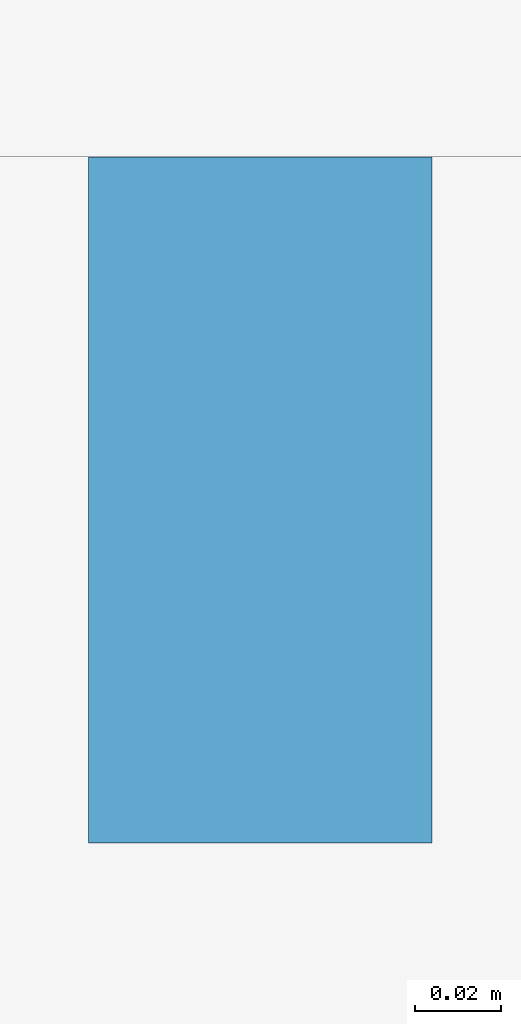
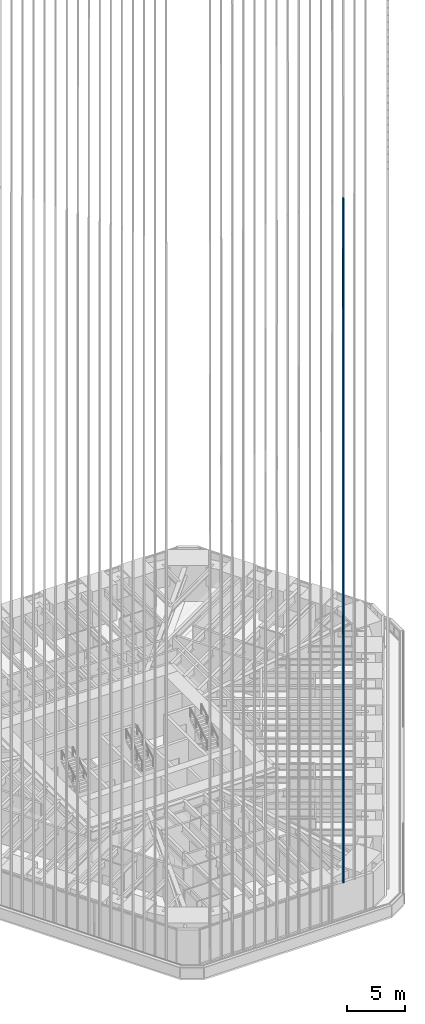
# One storey, part 64 of 238: 1 member, 1 element without a shape of its own.
"""IFC4 building model written with IfcOpenShell, lengths in metres."""

import ifcopenshell
import ifcopenshell.guid

model = None  # the IFC model being written
_history = None  # IfcOwnerHistory: only IFC2X3 demands one
_inside = {}  # id of a spatial element -> (the spatial element, [elements in it])
_under = {}  # id of a project, library or spatial element -> (it, [spatial elements below it])
_declared = {}  # id of a project -> (the project, [libraries it declares])
_typed = {}  # id of a type object -> (the type object, [elements of that type])
_made_of = {}  # id of a material, layer set ... -> (it, [elements and type objects made of it])


def new_model(schema):
    """Start an empty IFC model of exactly this schema.

    Asked for "IFC4X3", IfcOpenShell would pick the latest addendum, in which some entities
    have other attributes; the version numbers below select the first issue.
    IFC2X3 requires an IfcOwnerHistory on every rooted entity: one is made here for all.
    """
    global model, _history
    if schema == "IFC4X3":
        model = ifcopenshell.file(schema_version=(4, 3, 0, 0))
    else:
        model = ifcopenshell.file(schema=schema)
    _inside.clear()
    _under.clear()
    _declared.clear()
    _typed.clear()
    _made_of.clear()
    _history = None
    if model.schema == "IFC2X3":
        org = make("IfcOrganization", Name="unknown")
        user = make(
            "IfcPersonAndOrganization",
            ThePerson=make("IfcPerson", FamilyName="unknown"),
            TheOrganization=org,
        )
        app = make(
            "IfcApplication",
            ApplicationDeveloper=org,
            Version="unknown",
            ApplicationFullName="unknown",
            ApplicationIdentifier="unknown",
        )
        _history = make(
            "IfcOwnerHistory",
            OwningUser=user,
            OwningApplication=app,
            ChangeAction="ADDED",
            CreationDate=0,
        )
    return model


def make(cls, **values):
    """One entity of the class cls with the attributes given. An attribute that is None is left unset."""
    return model.create_entity(
        cls, **{name: value for name, value in values.items() if value is not None}
    )


def rooted(cls, **values):
    """An entity with a GlobalId (a new one), such as an element, a storey or a relation."""
    return make(cls, GlobalId=ifcopenshell.guid.new(), OwnerHistory=_history, **values)


def si_unit(unit_type, name, prefix=None):
    """IfcSIUnit, for example si_unit("LENGTHUNIT", "METRE", prefix="MILLI")."""
    return make("IfcSIUnit", UnitType=unit_type, Prefix=prefix, Name=name)


def assignment(units):
    """IfcUnitAssignment: the units of a project."""
    return None if units is None else make("IfcUnitAssignment", Units=units)


def point(xyz):
    """IfcCartesianPoint."""
    return None if xyz is None else make("IfcCartesianPoint", Coordinates=xyz)


def direction(xyz):
    """IfcDirection."""
    return None if xyz is None else make("IfcDirection", DirectionRatios=xyz)


def frame(location, z_axis=None, x_axis=None):
    """IfcAxis2Placement3D, a coordinate frame: its origin and axes. An axis left out is left unset."""
    return make(
        "IfcAxis2Placement3D",
        Location=point(location),
        Axis=direction(z_axis),
        RefDirection=direction(x_axis),
    )


def frame_2d(location, x_axis=None):
    """IfcAxis2Placement2D, a coordinate frame in the plane: its origin and x axis."""
    return make(
        "IfcAxis2Placement2D", Location=point(location), RefDirection=direction(x_axis)
    )


def origin():
    """The frame at (0, 0, 0) with its axes left unset."""
    return frame((0.0, 0.0, 0.0))


def origin_2d():
    """The frame at (0, 0) in the plane with its x axis left unset."""
    return frame_2d((0.0, 0.0))


def place(relative_to, where):
    """IfcLocalPlacement: puts the frame where relative to a parent placement (None: the world)."""
    return make(
        "IfcLocalPlacement", PlacementRelTo=relative_to, RelativePlacement=where
    )


def context(
    kind, dimensions, precision=None, world=None, true_north=None, identifier=None
):
    """IfcGeometricRepresentationContext, for example the 3D "Model" context."""
    return make(
        "IfcGeometricRepresentationContext",
        ContextIdentifier=identifier,
        ContextType=kind,
        CoordinateSpaceDimension=dimensions,
        Precision=precision,
        WorldCoordinateSystem=world,
        TrueNorth=true_north,
    )


def subcontext(parent, identifier, kind, view, scale=None):
    """IfcGeometricRepresentationSubContext, for example "Body" below "Model"."""
    return make(
        "IfcGeometricRepresentationSubContext",
        ContextIdentifier=identifier,
        ContextType=kind,
        ParentContext=parent,
        TargetScale=scale,
        TargetView=view,
    )


def project(units=None, contexts=None):
    """IfcProject with its units and contexts."""
    return rooted(
        "IfcProject",
        Name="project",
        RepresentationContexts=contexts,
        UnitsInContext=assignment(units),
    )


def spatial(cls, under=None, at=None, **own):
    """A site, building, storey or space (cls), placed at a placement, below another one or the project."""
    s = rooted(cls, ObjectPlacement=at, **own)
    if under is not None:
        _under.setdefault(under.id(), (under, []))[1].append(s)
    return s


def profile(cls, at=None, kind="AREA", **sizes):
    """A parametric profile (cls). Its sizes go by their IFC names, for example OverallWidth=200.0."""
    return make(cls, ProfileType=kind, Position=at, **sizes)


def rectangle(**sizes):
    """IfcRectangleProfileDef."""
    return profile("IfcRectangleProfileDef", **sizes)


def extrude(swept, where, along, depth):
    """IfcExtrudedAreaSolid: the profile swept, set in the frame where, extruded along a direction by depth."""
    return make(
        "IfcExtrudedAreaSolid",
        SweptArea=swept,
        Position=where,
        ExtrudedDirection=direction(along),
        Depth=depth,
    )


def shape(context_of_items, identifier, shape_type, items):
    """IfcShapeRepresentation: the items that make up one representation, for example the "Body"."""
    return make(
        "IfcShapeRepresentation",
        ContextOfItems=context_of_items,
        RepresentationIdentifier=identifier,
        RepresentationType=shape_type,
        Items=items,
    )


def material(Name=None, Category=None):
    """IfcMaterial."""
    return make("IfcMaterial", Name=Name, Category=Category)


def material_profile(
    of_material, cross_section, Name=None, Category=None, Priority=None
):
    """IfcMaterialProfile: a cross section and its material."""
    return make(
        "IfcMaterialProfile",
        Name=Name,
        Material=of_material,
        Profile=cross_section,
        Priority=Priority,
        Category=Category,
    )


def profile_set(profiles, Name=None, composite=None):
    """IfcMaterialProfileSet."""
    return make(
        "IfcMaterialProfileSet",
        Name=Name,
        MaterialProfiles=profiles,
        CompositeProfile=composite,
    )


def made_of(thing, what):
    """Note that an element or type object is made of a material, layer set ...; save() writes the relation."""
    if what is not None:
        _made_of.setdefault(what.id(), (what, []))[1].append(thing)
    return thing


def type_object(cls, material=None, **own):
    """A type object (cls), such as IfcWallType, which elements share."""
    return made_of(rooted(cls, **own), material)


def element(
    cls,
    number,
    at=None,
    inside=None,
    cuts=None,
    type_object=None,
    material=None,
    context=None,
    identifier="Body",
    shape_type=None,
    held_by="IfcProductDefinitionShape",
    body=None,
    shapes=None,
    **own,
):
    """One element of the class cls, such as IfcWall. Its Tag is "e" and its number.

    at: its placement. inside: the storey or other place that contains it. cuts: it is an
    opening in that element (IfcRelVoidsElement). A single representation is given by context,
    identifier, shape_type and body (its items); several are given by shapes. held_by: the class
    of the entity that holds the representations. save() writes the other relations.
    """
    e = rooted(cls, Tag="e%d" % number, ObjectPlacement=at, **own)
    if body is not None:
        shapes = [shape(context, identifier, shape_type, body)]
    if shapes is not None:
        e.Representation = make(held_by, Representations=shapes)
    if inside is not None:
        _inside.setdefault(inside.id(), (inside, []))[1].append(e)
    if cuts is not None:
        rooted(
            "IfcRelVoidsElement", RelatingBuildingElement=cuts, RelatedOpeningElement=e
        )
    if type_object is not None:
        _typed.setdefault(type_object.id(), (type_object, []))[1].append(e)
    return made_of(e, material)


def aggregate(whole, parts):
    """IfcRelAggregates: a whole, such as a stair, and the parts it consists of."""
    return rooted("IfcRelAggregates", RelatingObject=whole, RelatedObjects=parts)


def save(model, path):
    """Write the relations noted so far, then the file.

    IfcRelAggregates (storeys below a building ...), IfcRelContainedInSpatialStructure (elements
    in a storey), IfcRelDefinesByType, IfcRelAssociatesMaterial and IfcRelDeclares: one each for
    every whole, place, type object, material and project.
    """
    for whole, parts in _under.values():
        aggregate(whole, parts)
    for where, things in _inside.values():
        rooted(
            "IfcRelContainedInSpatialStructure",
            RelatedElements=things,
            RelatingStructure=where,
        )
    for kind, things in _typed.values():
        rooted("IfcRelDefinesByType", RelatedObjects=things, RelatingType=kind)
    for what, things in _made_of.values():
        rooted("IfcRelAssociatesMaterial", RelatedObjects=things, RelatingMaterial=what)
    for by, libraries in _declared.values():
        rooted("IfcRelDeclares", RelatingContext=by, RelatedDefinitions=libraries)
    model.write(path)


model = new_model("IFC4")

# Units and contexts
model_context = context("Model", 3, precision=1e-05, world=origin(), true_north=direction((0.0, 1.0)))
body_context = subcontext(model_context, "Body", "Model", "MODEL_VIEW")
ifc_project = project(units=[si_unit("LENGTHUNIT", "METRE"), si_unit("AREAUNIT", "SQUARE_METRE"), si_unit("VOLUMEUNIT", "CUBIC_METRE"), si_unit("PLANEANGLEUNIT", "RADIAN"), si_unit("MASSUNIT", "GRAM", prefix="KILO")], contexts=[model_context])

# Site, building, storey
site_placement = place(None, origin())
site = spatial("IfcSite", under=ifc_project, at=site_placement, CompositionType="ELEMENT")
building_placement = place(site_placement, origin())
building = spatial("IfcBuilding", under=site, at=building_placement, Name="Sandreach Pilgrim Tower", CompositionType="ELEMENT")
storey_placement = place(building_placement, frame((0.0, 0.0, 96.800048828125)))
storey = spatial("IfcBuildingStorey", under=building, at=storey_placement, Name="L23", CompositionType="ELEMENT", Elevation=96.800048828125)

# Curtain wall, member
ifc_material_1 = material(Name="Aluminium framed curtain wall", Category="aluminium")
curtain_wall_type = type_object("IfcCurtainWallType", Name="Hotel tower curtain wall", PredefinedType="NOTDEFINED", material=ifc_material_1)
curtain_wall_placement = place(storey_placement, origin())
curtain_wall = element("IfcCurtainWall", 1, at=curtain_wall_placement, inside=storey, type_object=curtain_wall_type, Name="CW-2 L23 SA", PredefinedType="NOTDEFINED")
ifc_material_2 = material(Name="Extruded terracotta on aluminium core", Category="masonry")
ifc_material_profile = material_profile(ifc_material_2, rectangle(XDim=0.080078125, YDim=0.159912109375, at=origin_2d()), Name="TBS 80X160")
ifc_profile_set = profile_set([ifc_material_profile], Name="Extruded terracotta on aluminium core")
member_type = type_object("IfcMemberType", Name="Terracotta baguette south", PredefinedType="USERDEFINED", material=ifc_profile_set)
member_placement = place(storey_placement, frame((5.519287109375, -28.572265625, 3.800048828125), z_axis=(0.0, 0.0, 1.0), x_axis=(-1.0, 0.0, 0.0)))
member = element("IfcMember", 2, at=member_placement, type_object=member_type, Name="Baguette Z2 S03", ObjectType="BAGUETTE", PredefinedType="USERDEFINED", context=body_context, shape_type="SweptSolid", body=[
    extrude(rectangle(XDim=0.080078125, YDim=0.159912109375, at=origin_2d()), origin(), (0.0, 0.0, 1.0), 72.039794921875),
])
aggregate(curtain_wall, [member])

save(model, "model.ifc")
